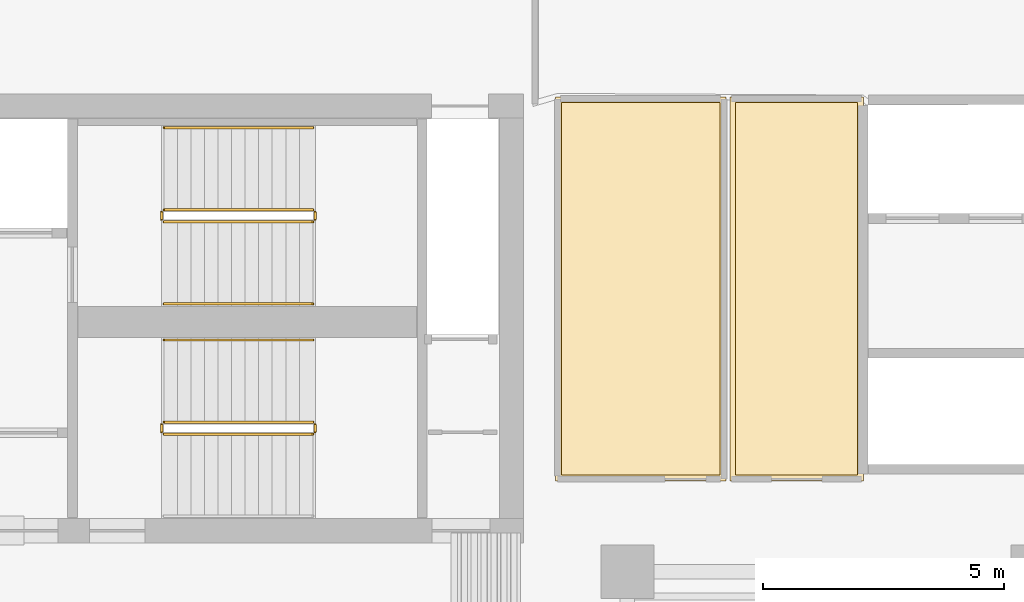
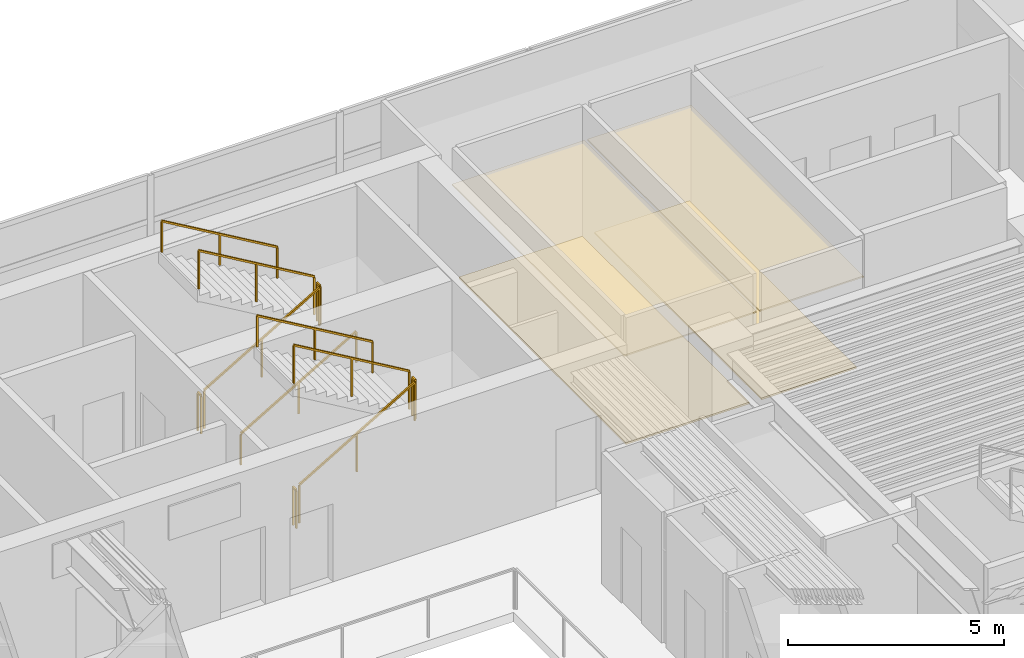
# One storey, part 12 of 13: 11 railings, 4 coverings.
"""IFC4 building model written with IfcOpenShell, lengths in metres."""

from ifc_helpers import new_model, si_unit, direction, frame, origin, origin_2d, place, context, subcontext, project, spatial, polyline, rectangle, outline, extrude, material, layer, layer_set, type_object, element, save


model = new_model("IFC4")

# Units and contexts
model_context = context("Model", 3, precision=1e-05, world=origin(), true_north=direction((0.0, 1.0)))
body_context = subcontext(model_context, "Body", "Model", "MODEL_VIEW")
ifc_project = project(units=[si_unit("LENGTHUNIT", "METRE"), si_unit("AREAUNIT", "SQUARE_METRE"), si_unit("VOLUMEUNIT", "CUBIC_METRE"), si_unit("PLANEANGLEUNIT", "RADIAN"), si_unit("MASSUNIT", "GRAM", prefix="KILO")], contexts=[model_context])

# Site, building, storey
site_placement = place(None, origin())
site = spatial("IfcSite", under=ifc_project, at=site_placement, CompositionType="ELEMENT")
building_placement = place(site_placement, origin())
building = spatial("IfcBuilding", under=site, at=building_placement, Name="Caeloran Harvest Quay", CompositionType="ELEMENT")
storey_placement = place(building_placement, frame((0.0, 0.0, 127.199951171875)))
storey = spatial("IfcBuildingStorey", under=building, at=storey_placement, Name="L29", CompositionType="ELEMENT", Elevation=127.199951171875)

# Coverings
ifc_material_1 = material(Name="Perforated Mineral-Fibre Acoustic Ceiling Tile", Category="ceiling")
ifc_layer_1 = layer(ifc_material_1, 0.0400390625, Name="Perforated Mineral-Fibre Acoustic Ceiling Tile")
ifc_layer_set_1 = layer_set([ifc_layer_1], Name="Perforated Mineral-Fibre Acoustic Ceiling Tile")
covering_type_1 = type_object("IfcCoveringType", Name="COV-CEILING-ACOUSTIC", PredefinedType="CEILING", material=ifc_layer_set_1)
covering_1_placement = place(storey_placement, frame((0.0, 0.0, 2.60009765625)))
element("IfcCovering", 1, at=covering_1_placement, inside=storey, type_object=covering_type_1, Name="L29 Bioinformatics Briefing Lounge Acoustic Ceiling", PredefinedType="CEILING", context=body_context, shape_type="SweptSolid", body=[
    extrude(outline(polyline([(27.5400390625, 40.840087890625), (27.5400390625, 32.8798828125), (24.010009765625, 32.8798828125), (24.010009765625, 40.840087890625), (27.5400390625, 40.840087890625)])), origin(), (0.0, 0.0, 1.0), 0.0400390625),
])
covering_2_placement = place(storey_placement, frame((0.0, 0.0, 2.60009765625)))
element("IfcCovering", 2, at=covering_2_placement, inside=storey, type_object=covering_type_1, Name="L29 Seed Imaging Laboratory Acoustic Ceiling", PredefinedType="CEILING", context=body_context, shape_type="SweptSolid", body=[
    extrude(outline(polyline([(30.389892578125, 40.840087890625), (30.389892578125, 32.8798828125), (27.6201171875, 32.8798828125), (27.6201171875, 40.840087890625), (30.389892578125, 40.840087890625)])), origin(), (0.0, 0.0, 1.0), 0.0400390625),
])
ifc_material_2 = material(Name="Calcium-Sulphate Raised Access Floor and Terrazzo Finish", Category="flooring")
ifc_layer_2 = layer(ifc_material_2, 0.050048828125, Name="Calcium-Sulphate Raised Access Floor and Terrazzo Finish")
ifc_layer_set_2 = layer_set([ifc_layer_2], Name="Calcium-Sulphate Raised Access Floor and Terrazzo Finish")
covering_type_2 = type_object("IfcCoveringType", Name="COV-FLOOR-RAISED", PredefinedType="FLOORING", material=ifc_layer_set_2)
covering_3_placement = place(storey_placement, origin())
element("IfcCovering", 3, at=covering_3_placement, inside=storey, type_object=covering_type_2, Name="L29 Bioinformatics Briefing Lounge Raised Finish Flooring", PredefinedType="FLOORING", context=body_context, shape_type="SweptSolid", body=[
    extrude(outline(polyline([(27.419921875, 40.719970703125), (27.419921875, 33.0), (24.1298828125, 33.0), (24.1298828125, 40.719970703125), (27.419921875, 40.719970703125)])), origin(), (0.0, 0.0, 1.0), 0.050048828125),
])
covering_4_placement = place(storey_placement, origin())
element("IfcCovering", 4, at=covering_4_placement, inside=storey, type_object=covering_type_2, Name="L29 Seed Imaging Laboratory Raised Finish Flooring", PredefinedType="FLOORING", context=body_context, shape_type="SweptSolid", body=[
    extrude(outline(polyline([(30.27001953125, 40.719970703125), (30.27001953125, 33.0), (27.739990234375, 33.0), (27.739990234375, 40.719970703125), (30.27001953125, 40.719970703125)])), origin(), (0.0, 0.0, 1.0), 0.050048828125),
])

# Railings
ifc_material_3 = material(Name="Painted Steel Baluster and Top-Rail Stair Guard", Category="steel")
ifc_layer_3 = layer(ifc_material_3, 0.050048828125, Name="Painted Steel Baluster and Top-Rail Stair Guard")
ifc_layer_set_3 = layer_set([ifc_layer_3], Name="Painted Steel Baluster and Top-Rail Stair Guard")
railing_type_1 = type_object("IfcRailingType", Name="STAIR-GUARD-1100", PredefinedType="GUARDRAIL", material=ifc_layer_set_3)
railing_1_placement = place(storey_placement, frame((15.89990234375, 38.25, 0.16455078125)))
element("IfcRailing", 5, at=railing_1_placement, inside=storey, type_object=railing_type_1, Name="L29 ST-C1 stair guard 1", PredefinedType="GUARDRAIL", context=body_context, shape_type="SweptSolid", body=[
    extrude(rectangle(XDim=0.048095703125, YDim=0.048095703125, at=origin_2d()), frame((0.0, 0.0, 1.076171875), z_axis=(0.862088758681, 0.0, 0.506757310905), x_axis=(0.0, 1.0, 0.0)), (0.0, 0.0, 1.0), 3.57275390625),
    extrude(rectangle(XDim=0.0419921875, YDim=0.0419921875, at=origin_2d()), origin(), (0.0, 0.0, 1.0), 1.052001953125),
    extrude(rectangle(XDim=0.0419921875, YDim=0.0419921875, at=origin_2d()), frame((1.5400390625, 0.0, 0.9052734375)), (0.0, 0.0, 1.0), 1.052001953125),
    extrude(rectangle(XDim=0.0419921875, YDim=0.0419921875, at=origin_2d()), frame((3.080078125, 0.0, 1.810546875)), (0.0, 0.0, 1.0), 1.052001953125),
])
railing_2_placement = place(storey_placement, frame((19.030029296875, 38.300048828125, 1.97509765625)))
element("IfcRailing", 6, at=railing_2_placement, inside=storey, type_object=railing_type_1, Name="L29 ST-C1 stair guard 2", PredefinedType="GUARDRAIL", context=body_context, shape_type="SweptSolid", body=[
    extrude(rectangle(XDim=0.048095703125, YDim=0.048095703125, at=origin_2d()), frame((0.0, 0.0, 1.076171875), z_axis=(0.0, 1.0, 0.0), x_axis=(-1.0, 0.0, 0.0)), (0.0, 0.0, 1.0), 0.14990234375),
    extrude(rectangle(XDim=0.0419921875, YDim=0.0419921875, at=origin_2d()), origin(), (0.0, 0.0, 1.0), 1.052001953125),
    extrude(rectangle(XDim=0.0419921875, YDim=0.0419921875, at=origin_2d()), frame((0.0, 0.14990234375, 0.0)), (0.0, 0.0, 1.0), 1.052001953125),
])
railing_3_placement = place(storey_placement, frame((18.97998046875, 38.5, 2.1396484375)))
element("IfcRailing", 7, at=railing_3_placement, inside=storey, type_object=railing_type_1, Name="L29 ST-C1 stair guard 3", PredefinedType="GUARDRAIL", context=body_context, shape_type="SweptSolid", body=[
    extrude(rectangle(XDim=0.048095703125, YDim=0.048095703125, at=origin_2d()), frame((0.0, 0.0, 1.076171875), z_axis=(-0.862118610829, 0.0, 0.506706523406), x_axis=(0.0, -1.0, 0.0)), (0.0, 0.0, 1.0), 3.57275390625),
    extrude(rectangle(XDim=0.0419921875, YDim=0.0419921875, at=origin_2d()), origin(), (0.0, 0.0, 1.0), 1.052001953125),
    extrude(rectangle(XDim=0.0419921875, YDim=0.0419921875, at=origin_2d()), frame((-1.5400390625, 0.0, 0.9052734375)), (0.0, 0.0, 1.0), 1.052001953125),
    extrude(rectangle(XDim=0.0419921875, YDim=0.0419921875, at=origin_2d()), frame((-3.080078125, 0.0, 1.810302734375)), (0.0, 0.0, 1.0), 1.052001953125),
])
railing_4_placement = place(storey_placement, frame((15.85009765625, 38.300048828125, 0.0)))
element("IfcRailing", 8, at=railing_4_placement, inside=storey, type_object=railing_type_1, Name="L29 ST-C1 stair guard 4", PredefinedType="GUARDRAIL", context=body_context, shape_type="SweptSolid", body=[
    extrude(rectangle(XDim=0.048095703125, YDim=0.048095703125, at=origin_2d()), frame((0.0, 0.0, 1.076171875), z_axis=(0.0, 1.0, 0.0), x_axis=(-1.0, 0.0, 0.0)), (0.0, 0.0, 1.0), 0.14990234375),
    extrude(rectangle(XDim=0.0419921875, YDim=0.0419921875, at=origin_2d()), origin(), (0.0, 0.0, 1.0), 1.052001953125),
    extrude(rectangle(XDim=0.0419921875, YDim=0.0419921875, at=origin_2d()), frame((0.0, 0.14990234375, 0.0)), (0.0, 0.0, 1.0), 1.052001953125),
])
railing_5_placement = place(storey_placement, frame((15.89990234375, 33.85009765625, 0.16455078125)))
element("IfcRailing", 9, at=railing_5_placement, inside=storey, type_object=railing_type_1, Name="L29 ST-C2 stair guard 1", PredefinedType="GUARDRAIL", context=body_context, shape_type="SweptSolid", body=[
    extrude(rectangle(XDim=0.048095703125, YDim=0.048095703125, at=origin_2d()), frame((0.0, 0.0, 1.076171875), z_axis=(0.862088758681, 0.0, 0.506757310905), x_axis=(0.0, 1.0, 0.0)), (0.0, 0.0, 1.0), 3.57275390625),
    extrude(rectangle(XDim=0.0419921875, YDim=0.0419921875, at=origin_2d()), origin(), (0.0, 0.0, 1.0), 1.052001953125),
    extrude(rectangle(XDim=0.0419921875, YDim=0.0419921875, at=origin_2d()), frame((1.5400390625, 0.0, 0.9052734375)), (0.0, 0.0, 1.0), 1.052001953125),
    extrude(rectangle(XDim=0.0419921875, YDim=0.0419921875, at=origin_2d()), frame((3.080078125, 0.0, 1.810546875)), (0.0, 0.0, 1.0), 1.052001953125),
])
railing_6_placement = place(storey_placement, frame((19.030029296875, 33.89990234375, 1.97509765625)))
element("IfcRailing", 10, at=railing_6_placement, inside=storey, type_object=railing_type_1, Name="L29 ST-C2 stair guard 2", PredefinedType="GUARDRAIL", context=body_context, shape_type="SweptSolid", body=[
    extrude(rectangle(XDim=0.048095703125, YDim=0.048095703125, at=origin_2d()), frame((0.0, 0.0, 1.076171875), z_axis=(0.0, 1.0, 0.0), x_axis=(-1.0, 0.0, 0.0)), (0.0, 0.0, 1.0), 0.150146484375),
    extrude(rectangle(XDim=0.0419921875, YDim=0.0419921875, at=origin_2d()), origin(), (0.0, 0.0, 1.0), 1.052001953125),
    extrude(rectangle(XDim=0.0419921875, YDim=0.0419921875, at=origin_2d()), frame((0.0, 0.150146484375, 0.0)), (0.0, 0.0, 1.0), 1.052001953125),
])
railing_7_placement = place(storey_placement, frame((18.97998046875, 34.10009765625, 2.1396484375)))
element("IfcRailing", 11, at=railing_7_placement, inside=storey, type_object=railing_type_1, Name="L29 ST-C2 stair guard 3", PredefinedType="GUARDRAIL", context=body_context, shape_type="SweptSolid", body=[
    extrude(rectangle(XDim=0.048095703125, YDim=0.048095703125, at=origin_2d()), frame((0.0, 0.0, 1.076171875), z_axis=(-0.862118610829, 0.0, 0.506706523406), x_axis=(0.0, -1.0, 0.0)), (0.0, 0.0, 1.0), 3.57275390625),
    extrude(rectangle(XDim=0.0419921875, YDim=0.0419921875, at=origin_2d()), origin(), (0.0, 0.0, 1.0), 1.052001953125),
    extrude(rectangle(XDim=0.0419921875, YDim=0.0419921875, at=origin_2d()), frame((-1.5400390625, 0.0, 0.9052734375)), (0.0, 0.0, 1.0), 1.052001953125),
    extrude(rectangle(XDim=0.0419921875, YDim=0.0419921875, at=origin_2d()), frame((-3.080078125, 0.0, 1.810302734375)), (0.0, 0.0, 1.0), 1.052001953125),
])
railing_8_placement = place(storey_placement, frame((15.85009765625, 33.89990234375, 0.0)))
element("IfcRailing", 12, at=railing_8_placement, inside=storey, type_object=railing_type_1, Name="L29 ST-C2 stair guard 4", PredefinedType="GUARDRAIL", context=body_context, shape_type="SweptSolid", body=[
    extrude(rectangle(XDim=0.048095703125, YDim=0.048095703125, at=origin_2d()), frame((0.0, 0.0, 1.076171875), z_axis=(0.0, 1.0, 0.0), x_axis=(-1.0, 0.0, 0.0)), (0.0, 0.0, 1.0), 0.150146484375),
    extrude(rectangle(XDim=0.0419921875, YDim=0.0419921875, at=origin_2d()), origin(), (0.0, 0.0, 1.0), 1.052001953125),
    extrude(rectangle(XDim=0.0419921875, YDim=0.0419921875, at=origin_2d()), frame((0.0, 0.150146484375, 0.0)), (0.0, 0.0, 1.0), 1.052001953125),
])
ifc_material_4 = material(Name="Brushed Stainless Steel Grade 304", Category="steel")
ifc_layer_4 = layer(ifc_material_4, 0.050048828125, Name="Brushed Stainless Steel Grade 304")
ifc_layer_set_4 = layer_set([ifc_layer_4], Name="Brushed Stainless Steel Grade 304")
railing_type_2 = type_object("IfcRailingType", Name="STAIR-HANDRAIL-900", PredefinedType="HANDRAIL", material=ifc_layer_set_4)
railing_9_placement = place(storey_placement, frame((15.89990234375, 36.550048828125, 0.16455078125)))
element("IfcRailing", 13, at=railing_9_placement, inside=storey, type_object=railing_type_2, Name="L29 ST-C1 stair handrail 1", PredefinedType="HANDRAIL", context=body_context, shape_type="SweptSolid", body=[
    extrude(rectangle(XDim=0.048095703125, YDim=0.048095703125, at=origin_2d()), frame((0.0, 0.0, 0.8759765625), z_axis=(0.862088758681, 0.0, 0.506757310905), x_axis=(0.0, 1.0, 0.0)), (0.0, 0.0, 1.0), 3.57275390625),
    extrude(rectangle(XDim=0.0419921875, YDim=0.0419921875, at=origin_2d()), origin(), (0.0, 0.0, 1.0), 0.851806640625),
    extrude(rectangle(XDim=0.0419921875, YDim=0.0419921875, at=origin_2d()), frame((1.5400390625, 0.0, 0.9052734375)), (0.0, 0.0, 1.0), 0.851806640625),
    extrude(rectangle(XDim=0.0419921875, YDim=0.0419921875, at=origin_2d()), frame((3.080078125, 0.0, 1.810546875)), (0.0, 0.0, 1.0), 0.851806640625),
])
for number, where, name in (
    (14, (18.97998046875, 40.199951171875, 2.1396484375), "L29 ST-C1 stair handrail 2"),
    (15, (18.97998046875, 35.800048828125, 2.1396484375), "L29 ST-C2 stair handrail 2"),
):
    element("IfcRailing", number, at=place(storey_placement, frame(where)), inside=storey, type_object=railing_type_2, Name=name, PredefinedType="HANDRAIL", context=body_context, shape_type="SweptSolid", body=[
        extrude(rectangle(XDim=0.048095703125, YDim=0.048095703125, at=origin_2d()), frame((0.0, 0.0, 0.8759765625), z_axis=(-0.862118610829, 0.0, 0.506706523406), x_axis=(0.0, -1.0, 0.0)), (0.0, 0.0, 1.0), 3.57275390625),
        extrude(rectangle(XDim=0.0419921875, YDim=0.0419921875, at=origin_2d()), origin(), (0.0, 0.0, 1.0), 0.851806640625),
        extrude(rectangle(XDim=0.0419921875, YDim=0.0419921875, at=origin_2d()), frame((-1.5400390625, 0.0, 0.9052734375)), (0.0, 0.0, 1.0), 0.851806640625),
        extrude(rectangle(XDim=0.0419921875, YDim=0.0419921875, at=origin_2d()), frame((-3.080078125, 0.0, 1.810302734375)), (0.0, 0.0, 1.0), 0.851806640625),
    ])

save(model, "model.ifc")
